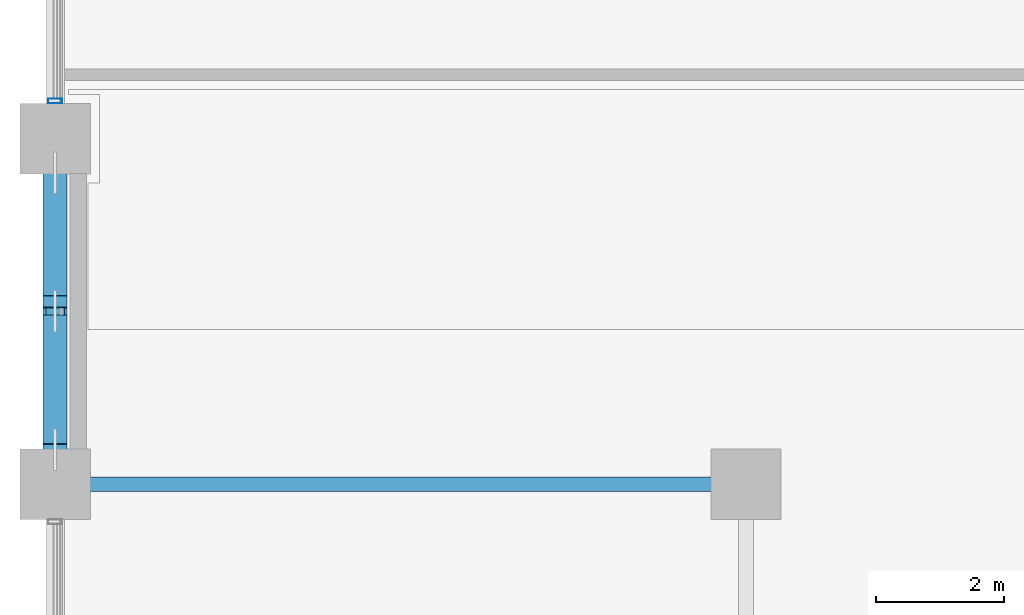
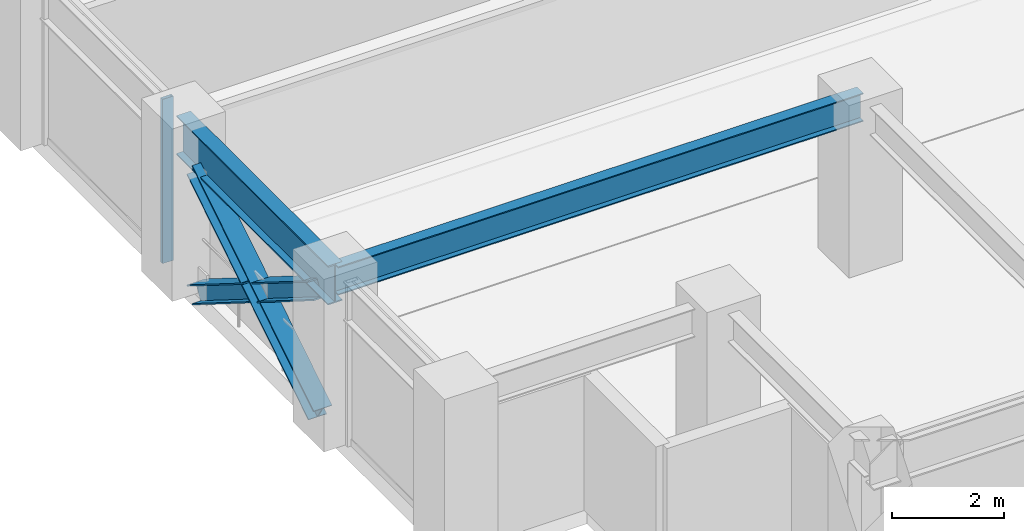
# One storey, part 4 of 30: 4 members, 2 beams, 1 element without a shape of its own.
"""IFC4 building model written with IfcOpenShell, lengths in metres."""

from ifc_helpers import new_model, si_unit, direction, frame, origin, origin_2d, place, context, subcontext, project, spatial, hollow_rectangle, i_section, extrude, material, layer, layer_set, material_profile, profile_set, type_object, element, aggregate, save


model = new_model("IFC4")

# Units and contexts
model_context = context("Model", 3, precision=1e-05, world=origin(), true_north=direction((0.0, 1.0)))
body_context = subcontext(model_context, "Body", "Model", "MODEL_VIEW")
ifc_project = project(units=[si_unit("LENGTHUNIT", "METRE"), si_unit("AREAUNIT", "SQUARE_METRE"), si_unit("VOLUMEUNIT", "CUBIC_METRE"), si_unit("PLANEANGLEUNIT", "RADIAN"), si_unit("MASSUNIT", "GRAM", prefix="KILO")], contexts=[model_context])

# Site, building, storey
site_placement = place(None, origin())
site = spatial("IfcSite", under=ifc_project, at=site_placement, CompositionType="ELEMENT")
building_placement = place(site_placement, origin())
building = spatial("IfcBuilding", under=site, at=building_placement, Name="Surkhivell Harbour Commons", CompositionType="ELEMENT")
storey_placement = place(building_placement, frame((0.0, 0.0, 83.25)))
storey = spatial("IfcBuildingStorey", under=building, at=storey_placement, Name="L21", CompositionType="ELEMENT", Elevation=83.25)

# Beams
ifc_material_1 = material(Name="Steel S355", Category="steel")
ifc_material_profile_1 = material_profile(ifc_material_1, i_section(OverallWidth=0.22998046875, OverallDepth=0.616943359375, WebThickness=0.01318359375, FlangeThickness=0.022216796875, at=origin_2d()), Name="UB610x229x140")
ifc_profile_set_1 = profile_set([ifc_material_profile_1], Name="Steel S355")
beam_type_1 = type_object("IfcBeamType", Name="BM-GRD-610B", PredefinedType="BEAM", material=ifc_profile_set_1)
beam_1_placement = place(storey_placement, frame((-32.39990234375, -16.199951171875, 3.261474609375), z_axis=(1.0, 0.0, 0.0), x_axis=(0.0, 1.0, 0.0)))
element("IfcBeam", 1, at=beam_1_placement, inside=storey, type_object=beam_type_1, Name="L21 Floor Girder (-32.4,-16.2)", PredefinedType="BEAM", context=body_context, shape_type="SweptSolid", body=[
    extrude(i_section(OverallWidth=0.22998046875, OverallDepth=0.616943359375, WebThickness=0.01318359375, FlangeThickness=0.022216796875, at=origin_2d()), origin(), (0.0, 0.0, 1.0), 10.7998046875),
])
ifc_material_2 = material(Name="Steel S460", Category="steel")
ifc_material_profile_2 = material_profile(ifc_material_2, i_section(OverallWidth=0.2939453125, OverallDepth=0.85107421875, WebThickness=0.01611328125, FlangeThickness=0.02685546875, at=origin_2d()), Name="UB838x292x226")
ifc_profile_set_2 = profile_set([ifc_material_profile_2], Name="Steel S460")
beam_type_2 = type_object("IfcBeamType", Name="BM-SPN-838", PredefinedType="SPANDREL", material=ifc_profile_set_2)
beam_2_placement = place(storey_placement, frame((-32.39990234375, -16.199951171875, 3.14453125), z_axis=(0.0, 1.0, 0.0), x_axis=(-1.0, 0.0, 0.0)))
element("IfcBeam", 2, at=beam_2_placement, inside=storey, type_object=beam_type_2, Name="L21 Tube Spandrel (-32.4,-16.2)", PredefinedType="SPANDREL", context=body_context, shape_type="SweptSolid", body=[
    extrude(i_section(OverallWidth=0.2939453125, OverallDepth=0.85107421875, WebThickness=0.01611328125, FlangeThickness=0.02685546875, at=origin_2d()), origin(), (0.0, 0.0, 1.0), 5.39990234375),
])

# Curtain wall, member
ifc_material_3 = material(Name="Anodised pale-metal aluminium and insulated glazing", Category="aluminium")
ifc_layer = layer(ifc_material_3, 0.205078125)
ifc_layer_set = layer_set([ifc_layer], Name="Anodised pale-metal aluminium and insulated glazing")
curtain_wall_type = type_object("IfcCurtainWallType", Name="CW-SYS-Z2", PredefinedType="NOTDEFINED", material=ifc_layer_set)
curtain_wall_placement = place(storey_placement, origin())
curtain_wall = element("IfcCurtainWall", 3, at=curtain_wall_placement, inside=storey, type_object=curtain_wall_type, Name="L21 Curtain Wall CW-L21-E12S1", PredefinedType="NOTDEFINED")
ifc_material_4 = material(Name="Anodised pale-metal aluminium alloy 6063-T6", Category="aluminium")
ifc_material_profile_3 = material_profile(ifc_material_4, hollow_rectangle(XDim=0.074951171875, YDim=0.219970703125, WallThickness=0.00390625, at=origin_2d()), Name="ALU-MULL-75x220")
ifc_profile_set_3 = profile_set([ifc_material_profile_3], Name="Anodised pale-metal aluminium alloy 6063-T6")
member_type_1 = type_object("IfcMemberType", Name="CWM-220", PredefinedType="MULLION", material=ifc_profile_set_3)
member_1_placement = place(storey_placement, frame((-32.39990234375, -10.21044921875, 0.0), z_axis=(0.0, 0.0, 1.0), x_axis=(0.0, -1.0, 0.0)))
member_1 = element("IfcMember", 4, at=member_1_placement, type_object=member_type_1, Name="CW-Z2 mullion 7", PredefinedType="MULLION", context=body_context, shape_type="SweptSolid", body=[
    extrude(hollow_rectangle(XDim=0.074951171875, YDim=0.219970703125, WallThickness=0.00390625, at=origin_2d()), origin(), (0.0, 0.0, 1.0), 3.570068359375),
])
aggregate(curtain_wall, [member_1])

# Members
ifc_material_profile_4 = material_profile(ifc_material_2, i_section(OverallWidth=0.375, OverallDepth=0.375, WebThickness=0.0166015625, FlangeThickness=0.027099609375, at=origin_2d()), Name="UC356x368x202")
ifc_profile_set_4 = profile_set([ifc_material_profile_4], Name="Steel S460")
member_type_2 = type_object("IfcMemberType", Name="MEM-BRC-UC356", PredefinedType="BRACE", material=ifc_profile_set_4)
member_2_placement = place(storey_placement, frame((-32.39990234375, -15.6650390625, 0.008056640625), z_axis=(0.0, 0.847246015888, 0.531200704594), x_axis=(-1.0, 0.0, 0.0)))
element("IfcMember", 5, at=member_2_placement, inside=storey, type_object=member_type_2, Name="L21 Perimeter Mega-Brace MB- 10", PredefinedType="BRACE", context=body_context, shape_type="SweptSolid", body=[
    extrude(i_section(OverallWidth=0.375, OverallDepth=0.375, WebThickness=0.0166015625, FlangeThickness=0.027099609375, at=origin_2d()), origin(), (0.0, 0.0, 1.0), 5.11083984375),
])
member_3_placement = place(storey_placement, frame((-32.39990234375, -11.3349609375, 0.008056640625), z_axis=(0.0, -0.847206308526, 0.53126403115), x_axis=(1.0, 0.0, 0.0)))
element("IfcMember", 6, at=member_3_placement, inside=storey, type_object=member_type_2, Name="L21 Perimeter Mega-Brace MB- 11", PredefinedType="BRACE", context=body_context, shape_type="SweptSolid", body=[
    extrude(i_section(OverallWidth=0.375, OverallDepth=0.375, WebThickness=0.0166015625, FlangeThickness=0.027099609375, at=origin_2d()), origin(), (0.0, 0.0, 1.0), 2.37548828125),
])
member_4_placement = place(storey_placement, frame((-32.39990234375, -13.652587890625, 1.461181640625), z_axis=(0.0, -0.84725256761, 0.53119025469), x_axis=(1.0, 0.0, 0.0)))
element("IfcMember", 7, at=member_4_placement, inside=storey, type_object=member_type_2, Name="L21 Perimeter Mega-Brace MB- 12", PredefinedType="BRACE", context=body_context, shape_type="SweptSolid", body=[
    extrude(i_section(OverallWidth=0.375, OverallDepth=0.375, WebThickness=0.0166015625, FlangeThickness=0.027099609375, at=origin_2d()), origin(), (0.0, 0.0, 1.0), 2.375244140625),
])

save(model, "model.ifc")
